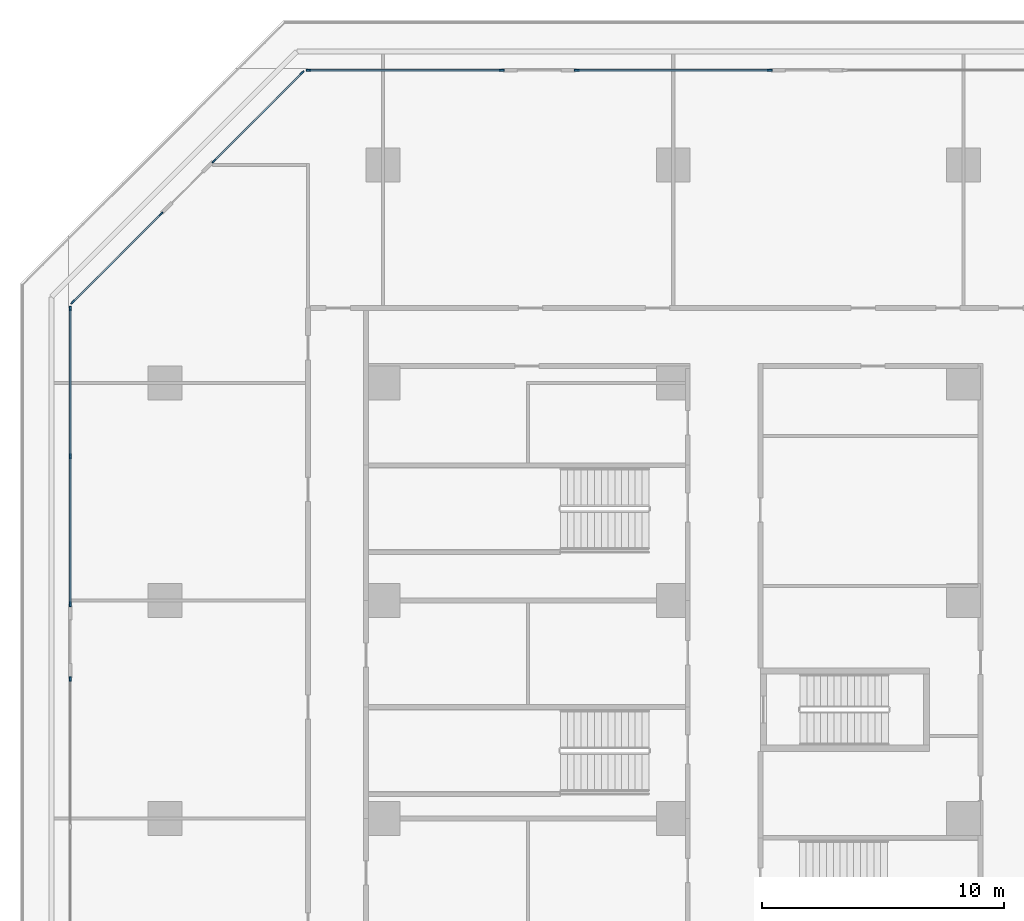
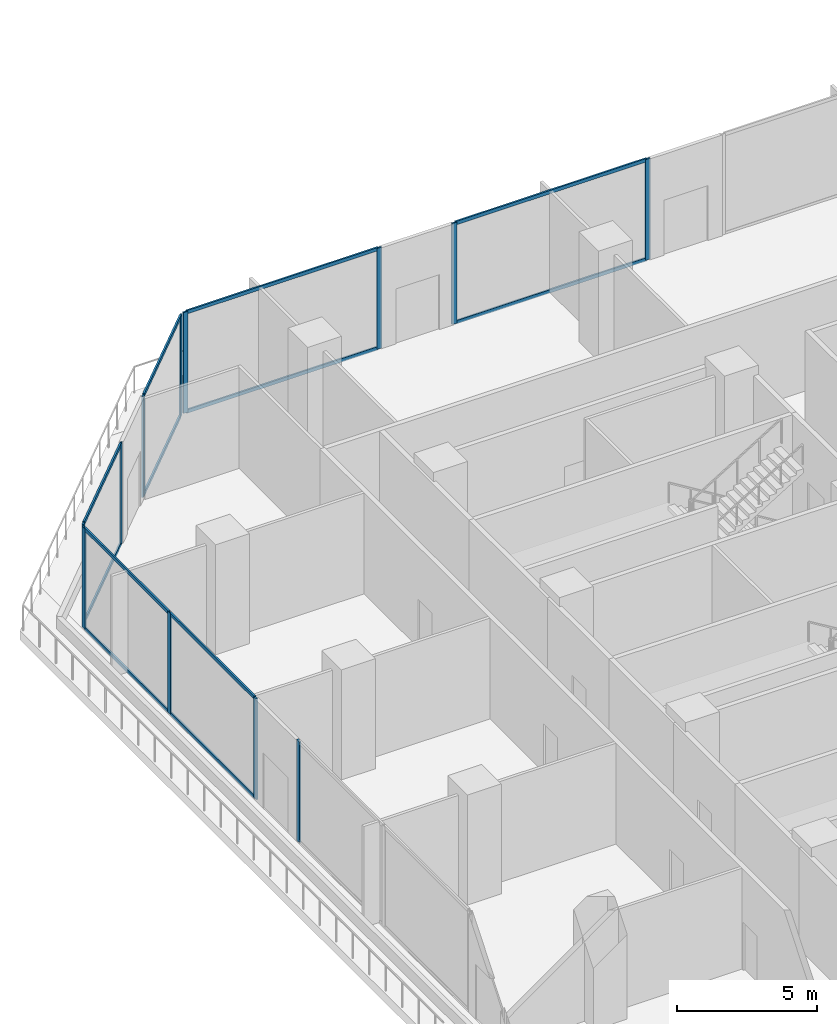
# One storey, part 9 of 31: 24 members, 6 elements without a shape of their own.
"""IFC4 building model written with IfcOpenShell, lengths in metres."""

from ifc_helpers import new_model, si_unit, direction, frame, origin, origin_2d, place, context, subcontext, project, spatial, rectangle, extrude, material, layer, layer_set, material_profile, profile_set, type_object, element, aggregate, save


model = new_model("IFC4")

# Units and contexts
model_context = context("Model", 3, precision=1e-05, world=origin(), true_north=direction((0.0, 1.0)))
body_context = subcontext(model_context, "Body", "Model", "MODEL_VIEW")
ifc_project = project(units=[si_unit("LENGTHUNIT", "METRE"), si_unit("AREAUNIT", "SQUARE_METRE"), si_unit("VOLUMEUNIT", "CUBIC_METRE"), si_unit("PLANEANGLEUNIT", "RADIAN"), si_unit("MASSUNIT", "GRAM", prefix="KILO")], contexts=[model_context])

# Site, building, storey
site_placement = place(None, origin())
site = spatial("IfcSite", under=ifc_project, at=site_placement, CompositionType="ELEMENT")
building_placement = place(site_placement, origin())
building = spatial("IfcBuilding", under=site, at=building_placement, Name="Chenar Terraces", CompositionType="ELEMENT")
storey_placement = place(building_placement, frame((0.0, 0.0, 7.199951171875)))
storey = spatial("IfcBuildingStorey", under=building, at=storey_placement, Name="L01", CompositionType="ELEMENT", Elevation=7.199951171875)

# Curtain wall, members
ifc_material_1 = material(Name="Aluminium framed glazing", Category="aluminium")
ifc_layer = layer(ifc_material_1, 0.14990234375)
ifc_layer_set = layer_set([ifc_layer], Name="Aluminium framed glazing")
curtain_wall_type = type_object("IfcCurtainWallType", Name="School curtain wall", PredefinedType="NOTDEFINED", material=ifc_layer_set)
placement = place(storey_placement, origin())
curtain_wall_1 = element("IfcCurtainWall", 1, at=placement, inside=storey, type_object=curtain_wall_type, Name="School curtain wall", PredefinedType="NOTDEFINED")
ifc_material_2 = material(Name="Aluminium", Category="aluminium")
ifc_material_profile_1 = material_profile(ifc_material_2, rectangle(XDim=0.070068359375, YDim=0.199951171875, at=origin_2d()), Name="School glazing mullion 70 x 200")
ifc_profile_set_1 = profile_set([ifc_material_profile_1], Name="Aluminium")
member_type_1 = type_object("IfcMemberType", Name="School glazing mullion 70 x 200", PredefinedType="MULLION", material=ifc_profile_set_1)
member_1_placement = place(storey_placement, frame((15.990234375, 75.925048828125, 0.0), z_axis=(0.0, 0.0, 1.0), x_axis=(0.0, -1.0, 0.0)))
member_1 = element("IfcMember", 2, at=member_1_placement, type_object=member_type_1, Name="CW2-02c1 mullion 1", PredefinedType="MULLION", context=body_context, shape_type="SweptSolid", body=[
    extrude(rectangle(XDim=0.070068359375, YDim=0.199951171875, at=origin_2d()), origin(), (0.0, 0.0, 1.0), 4.400146484375),
])
member_2_placement = place(storey_placement, frame((8.009765625, 75.925048828125, 0.0), z_axis=(0.0, 0.0, 1.0), x_axis=(0.0, -1.0, 0.0)))
member_2 = element("IfcMember", 3, at=member_2_placement, type_object=member_type_1, Name="CW2-02c1 mullion 2", PredefinedType="MULLION", context=body_context, shape_type="SweptSolid", body=[
    extrude(rectangle(XDim=0.070068359375, YDim=0.199951171875, at=origin_2d()), origin(), (0.0, 0.0, 1.0), 4.400146484375),
])

curtain_wall_2 = element("IfcCurtainWall", 4, at=placement, inside=storey, type_object=curtain_wall_type, Name="School curtain wall", PredefinedType="NOTDEFINED")
member_3_placement = place(storey_placement, frame((4.91455078125, 75.925048828125, 0.0), z_axis=(0.0, 0.0, 1.0), x_axis=(0.0, -1.0, 0.0)))
member_3 = element("IfcMember", 5, at=member_3_placement, type_object=member_type_1, Name="CW2-02c2 mullion 1", PredefinedType="MULLION", context=body_context, shape_type="SweptSolid", body=[
    extrude(rectangle(XDim=0.070068359375, YDim=0.199951171875, at=origin_2d()), origin(), (0.0, 0.0, 1.0), 4.400146484375),
])
member_4_placement = place(storey_placement, frame((-3.07861328125, 75.925048828125, 0.0), z_axis=(0.0, 0.0, 1.0), x_axis=(0.0, -1.0, 0.0)))
member_4 = element("IfcMember", 6, at=member_4_placement, type_object=member_type_1, Name="CW2-02c2 mullion 2", PredefinedType="MULLION", context=body_context, shape_type="SweptSolid", body=[
    extrude(rectangle(XDim=0.070068359375, YDim=0.199951171875, at=origin_2d()), origin(), (0.0, 0.0, 1.0), 4.400146484375),
])

curtain_wall_3 = element("IfcCurtainWall", 7, at=placement, inside=storey, type_object=curtain_wall_type, Name="School curtain wall", PredefinedType="NOTDEFINED")
member_5_placement = place(storey_placement, frame((-3.34130859375, 75.816162109375, 0.0), z_axis=(0.0, 0.0, 1.0), x_axis=(0.707106781187, -0.707106781187, 0.0)))
member_5 = element("IfcMember", 8, at=member_5_placement, type_object=member_type_1, Name="CW2-03c0 mullion 1", PredefinedType="MULLION", context=body_context, shape_type="SweptSolid", body=[
    extrude(rectangle(XDim=0.070068359375, YDim=0.199951171875, at=origin_2d()), origin(), (0.0, 0.0, 1.0), 4.400146484375),
])
member_6_placement = place(storey_placement, frame((-6.984375, 72.1728515625, 0.0), z_axis=(0.0, 0.0, 1.0), x_axis=(0.707106781187, -0.707106781187, 0.0)))
member_6 = element("IfcMember", 9, at=member_6_placement, type_object=member_type_1, Name="CW2-03c0 mullion 2", PredefinedType="MULLION", context=body_context, shape_type="SweptSolid", body=[
    extrude(rectangle(XDim=0.070068359375, YDim=0.199951171875, at=origin_2d()), origin(), (0.0, 0.0, 1.0), 4.400146484375),
])

curtain_wall_4 = element("IfcCurtainWall", 10, at=placement, inside=storey, type_object=curtain_wall_type, Name="School curtain wall", PredefinedType="NOTDEFINED")
member_7_placement = place(storey_placement, frame((-9.1728515625, 69.984375, 0.0), z_axis=(0.0, 0.0, 1.0), x_axis=(0.707106781187, -0.707106781187, 0.0)))
member_7 = element("IfcMember", 11, at=member_7_placement, type_object=member_type_1, Name="CW2-03c1 mullion 1", PredefinedType="MULLION", context=body_context, shape_type="SweptSolid", body=[
    extrude(rectangle(XDim=0.070068359375, YDim=0.199951171875, at=origin_2d()), origin(), (0.0, 0.0, 1.0), 4.400146484375),
])
member_8_placement = place(storey_placement, frame((-12.816162109375, 66.34130859375, 0.0), z_axis=(0.0, 0.0, 1.0), x_axis=(0.707106781187, -0.707106781187, 0.0)))
member_8 = element("IfcMember", 12, at=member_8_placement, type_object=member_type_1, Name="CW2-03c1 mullion 2", PredefinedType="MULLION", context=body_context, shape_type="SweptSolid", body=[
    extrude(rectangle(XDim=0.070068359375, YDim=0.199951171875, at=origin_2d()), origin(), (0.0, 0.0, 1.0), 4.400146484375),
])

curtain_wall_5 = element("IfcCurtainWall", 13, at=placement, inside=storey, type_object=curtain_wall_type, Name="School curtain wall", PredefinedType="NOTDEFINED")
member_9_placement = place(storey_placement, frame((-12.925048828125, 66.07861328125, 0.0), z_axis=(0.0, 0.0, 1.0), x_axis=(1.0, 0.0, 0.0)))
member_9 = element("IfcMember", 14, at=member_9_placement, type_object=member_type_1, Name="CW2-04c0 mullion 1", PredefinedType="MULLION", context=body_context, shape_type="SweptSolid", body=[
    extrude(rectangle(XDim=0.070068359375, YDim=0.199951171875, at=origin_2d()), origin(), (0.0, 0.0, 1.0), 4.400146484375),
])
member_10_placement = place(storey_placement, frame((-12.925048828125, 59.96630859375, 0.0), z_axis=(0.0, 0.0, 1.0), x_axis=(1.0, 0.0, 0.0)))
member_10 = element("IfcMember", 15, at=member_10_placement, type_object=member_type_1, Name="CW2-04c0 mullion 2", PredefinedType="MULLION", context=body_context, shape_type="SweptSolid", body=[
    extrude(rectangle(XDim=0.070068359375, YDim=0.199951171875, at=origin_2d()), origin(), (0.0, 0.0, 1.0), 4.400146484375),
])
member_11_placement = place(storey_placement, frame((-12.925048828125, 53.854248046875, 0.0), z_axis=(0.0, 0.0, 1.0), x_axis=(1.0, 0.0, 0.0)))
member_11 = element("IfcMember", 16, at=member_11_placement, type_object=member_type_1, Name="CW2-04c0 mullion 3", PredefinedType="MULLION", context=body_context, shape_type="SweptSolid", body=[
    extrude(rectangle(XDim=0.070068359375, YDim=0.199951171875, at=origin_2d()), origin(), (0.0, 0.0, 1.0), 4.400146484375),
])

# Curtain wall, member
curtain_wall_6 = element("IfcCurtainWall", 17, at=placement, inside=storey, type_object=curtain_wall_type, Name="School curtain wall", PredefinedType="NOTDEFINED")
member_12_placement = place(storey_placement, frame((-12.925048828125, 50.75927734375, 0.0), z_axis=(0.0, 0.0, 1.0), x_axis=(1.0, 0.0, 0.0)))
member_12 = element("IfcMember", 18, at=member_12_placement, type_object=member_type_1, Name="CW2-04c1 mullion 1", PredefinedType="MULLION", context=body_context, shape_type="SweptSolid", body=[
    extrude(rectangle(XDim=0.070068359375, YDim=0.199951171875, at=origin_2d()), origin(), (0.0, 0.0, 1.0), 4.400146484375),
])
aggregate(curtain_wall_6, [member_12])

# Member
ifc_material_3 = material(Name="Aluminium", Category="aluminium")
ifc_material_profile_2 = material_profile(ifc_material_3, rectangle(XDim=0.070068359375, YDim=0.14990234375, at=origin_2d()), Name="School glazing transom 70 x 150")
ifc_profile_set_2 = profile_set([ifc_material_profile_2], Name="Aluminium")
member_type_2 = type_object("IfcMemberType", Name="School glazing transom 70 x 150", PredefinedType="USERDEFINED", material=ifc_profile_set_2)
member_13_placement = place(storey_placement, frame((15.955322265625, 75.925048828125, 0.03515625), z_axis=(-1.0, 0.0, 0.0), x_axis=(0.0, -1.0, 0.0)))
member_13 = element("IfcMember", 19, at=member_13_placement, type_object=member_type_2, Name="CW2-02c1 transom 1.1", ObjectType="TRANSOM", PredefinedType="USERDEFINED", context=body_context, shape_type="SweptSolid", body=[
    extrude(rectangle(XDim=0.070068359375, YDim=0.14990234375, at=origin_2d()), origin(), (0.0, 0.0, 1.0), 7.91064453125),
])

member_14_placement = place(storey_placement, frame((15.955322265625, 75.925048828125, 4.364990234375), z_axis=(-1.0, 0.0, 0.0), x_axis=(0.0, -1.0, 0.0)))
member_14 = element("IfcMember", 20, at=member_14_placement, type_object=member_type_2, Name="CW2-02c1 transom 1.2", ObjectType="TRANSOM", PredefinedType="USERDEFINED", context=body_context, shape_type="SweptSolid", body=[
    extrude(rectangle(XDim=0.070068359375, YDim=0.14990234375, at=origin_2d()), origin(), (0.0, 0.0, 1.0), 7.91064453125),
])

aggregate(curtain_wall_1, [member_1, member_2, member_13, member_14])

member_15_placement = place(storey_placement, frame((4.879638671875, 75.925048828125, 0.03515625), z_axis=(-1.0, 0.0, 0.0), x_axis=(0.0, -1.0, 0.0)))
member_15 = element("IfcMember", 21, at=member_15_placement, type_object=member_type_2, Name="CW2-02c2 transom 1.1", ObjectType="TRANSOM", PredefinedType="USERDEFINED", context=body_context, shape_type="SweptSolid", body=[
    extrude(rectangle(XDim=0.070068359375, YDim=0.14990234375, at=origin_2d()), origin(), (0.0, 0.0, 1.0), 7.923095703125),
])

member_16_placement = place(storey_placement, frame((4.879638671875, 75.925048828125, 4.364990234375), z_axis=(-1.0, 0.0, 0.0), x_axis=(0.0, -1.0, 0.0)))
member_16 = element("IfcMember", 22, at=member_16_placement, type_object=member_type_2, Name="CW2-02c2 transom 1.2", ObjectType="TRANSOM", PredefinedType="USERDEFINED", context=body_context, shape_type="SweptSolid", body=[
    extrude(rectangle(XDim=0.070068359375, YDim=0.14990234375, at=origin_2d()), origin(), (0.0, 0.0, 1.0), 7.923095703125),
])

aggregate(curtain_wall_2, [member_3, member_4, member_15, member_16])

member_17_placement = place(storey_placement, frame((-3.365966796875, 75.79150390625, 0.03515625), z_axis=(-0.707106781187, -0.707106781187, 0.0), x_axis=(0.707106781187, -0.707106781187, 0.0)))
member_17 = element("IfcMember", 23, at=member_17_placement, type_object=member_type_2, Name="CW2-03c0 transom 1.1", ObjectType="TRANSOM", PredefinedType="USERDEFINED", context=body_context, shape_type="SweptSolid", body=[
    extrude(rectangle(XDim=0.070068359375, YDim=0.14990234375, at=origin_2d()), origin(), (0.0, 0.0, 1.0), 5.082275390625),
])

member_18_placement = place(storey_placement, frame((-3.365966796875, 75.79150390625, 4.364990234375), z_axis=(-0.707106781187, -0.707106781187, 0.0), x_axis=(0.707106781187, -0.707106781187, 0.0)))
member_18 = element("IfcMember", 24, at=member_18_placement, type_object=member_type_2, Name="CW2-03c0 transom 1.2", ObjectType="TRANSOM", PredefinedType="USERDEFINED", context=body_context, shape_type="SweptSolid", body=[
    extrude(rectangle(XDim=0.070068359375, YDim=0.14990234375, at=origin_2d()), origin(), (0.0, 0.0, 1.0), 5.082275390625),
])

aggregate(curtain_wall_3, [member_5, member_6, member_17, member_18])

member_19_placement = place(storey_placement, frame((-9.19775390625, 69.959716796875, 0.03515625), z_axis=(-0.707106781187, -0.707106781187, 0.0), x_axis=(0.707106781187, -0.707106781187, 0.0)))
member_19 = element("IfcMember", 25, at=member_19_placement, type_object=member_type_2, Name="CW2-03c1 transom 1.1", ObjectType="TRANSOM", PredefinedType="USERDEFINED", context=body_context, shape_type="SweptSolid", body=[
    extrude(rectangle(XDim=0.070068359375, YDim=0.14990234375, at=origin_2d()), origin(), (0.0, 0.0, 1.0), 5.082275390625),
])

member_20_placement = place(storey_placement, frame((-9.19775390625, 69.959716796875, 4.364990234375), z_axis=(-0.707106781187, -0.707106781187, 0.0), x_axis=(0.707106781187, -0.707106781187, 0.0)))
member_20 = element("IfcMember", 26, at=member_20_placement, type_object=member_type_2, Name="CW2-03c1 transom 1.2", ObjectType="TRANSOM", PredefinedType="USERDEFINED", context=body_context, shape_type="SweptSolid", body=[
    extrude(rectangle(XDim=0.070068359375, YDim=0.14990234375, at=origin_2d()), origin(), (0.0, 0.0, 1.0), 5.082275390625),
])

aggregate(curtain_wall_4, [member_7, member_8, member_19, member_20])

member_21_placement = place(storey_placement, frame((-12.925048828125, 66.04345703125, 0.03515625), z_axis=(0.0, -1.0, 0.0), x_axis=(1.0, 0.0, 0.0)))
member_21 = element("IfcMember", 27, at=member_21_placement, type_object=member_type_2, Name="CW2-04c0 transom 1.1", ObjectType="TRANSOM", PredefinedType="USERDEFINED", context=body_context, shape_type="SweptSolid", body=[
    extrude(rectangle(XDim=0.070068359375, YDim=0.14990234375, at=origin_2d()), origin(), (0.0, 0.0, 1.0), 6.0419921875),
])

member_22_placement = place(storey_placement, frame((-12.925048828125, 66.04345703125, 4.364990234375), z_axis=(0.0, -1.0, 0.0), x_axis=(1.0, 0.0, 0.0)))
member_22 = element("IfcMember", 28, at=member_22_placement, type_object=member_type_2, Name="CW2-04c0 transom 1.2", ObjectType="TRANSOM", PredefinedType="USERDEFINED", context=body_context, shape_type="SweptSolid", body=[
    extrude(rectangle(XDim=0.070068359375, YDim=0.14990234375, at=origin_2d()), origin(), (0.0, 0.0, 1.0), 6.0419921875),
])

member_23_placement = place(storey_placement, frame((-12.925048828125, 59.931396484375, 0.03515625), z_axis=(0.0, -1.0, 0.0), x_axis=(1.0, 0.0, 0.0)))
member_23 = element("IfcMember", 29, at=member_23_placement, type_object=member_type_2, Name="CW2-04c0 transom 2.1", ObjectType="TRANSOM", PredefinedType="USERDEFINED", context=body_context, shape_type="SweptSolid", body=[
    extrude(rectangle(XDim=0.070068359375, YDim=0.14990234375, at=origin_2d()), origin(), (0.0, 0.0, 1.0), 6.042236328125),
])

member_24_placement = place(storey_placement, frame((-12.925048828125, 59.931396484375, 4.364990234375), z_axis=(0.0, -1.0, 0.0), x_axis=(1.0, 0.0, 0.0)))
member_24 = element("IfcMember", 30, at=member_24_placement, type_object=member_type_2, Name="CW2-04c0 transom 2.2", ObjectType="TRANSOM", PredefinedType="USERDEFINED", context=body_context, shape_type="SweptSolid", body=[
    extrude(rectangle(XDim=0.070068359375, YDim=0.14990234375, at=origin_2d()), origin(), (0.0, 0.0, 1.0), 6.042236328125),
])

aggregate(curtain_wall_5, [member_9, member_10, member_11, member_21, member_22, member_23, member_24])

save(model, "model.ifc")
